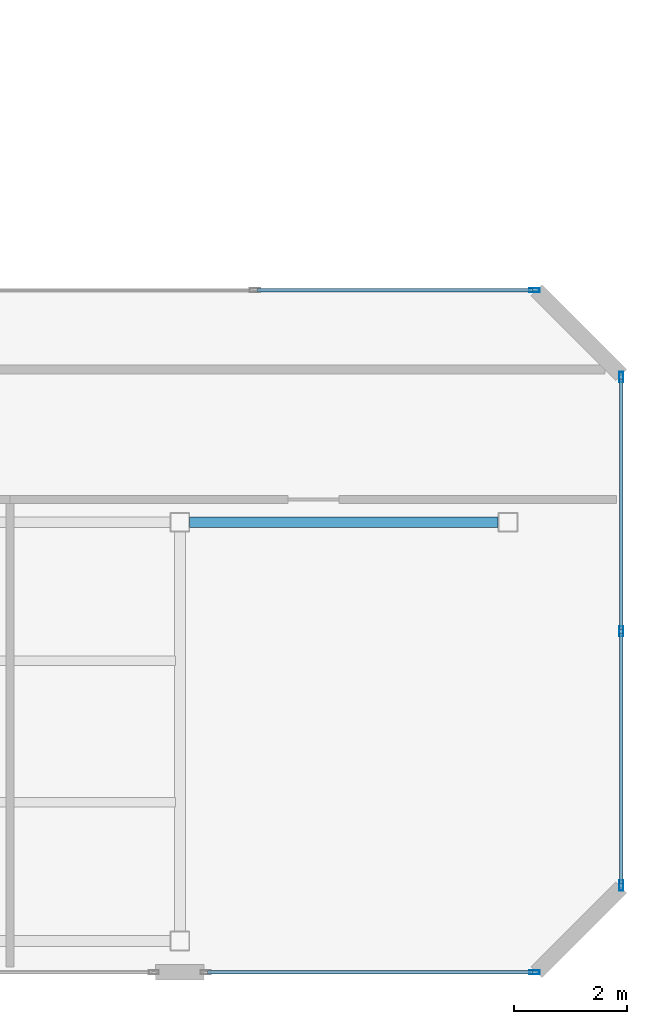
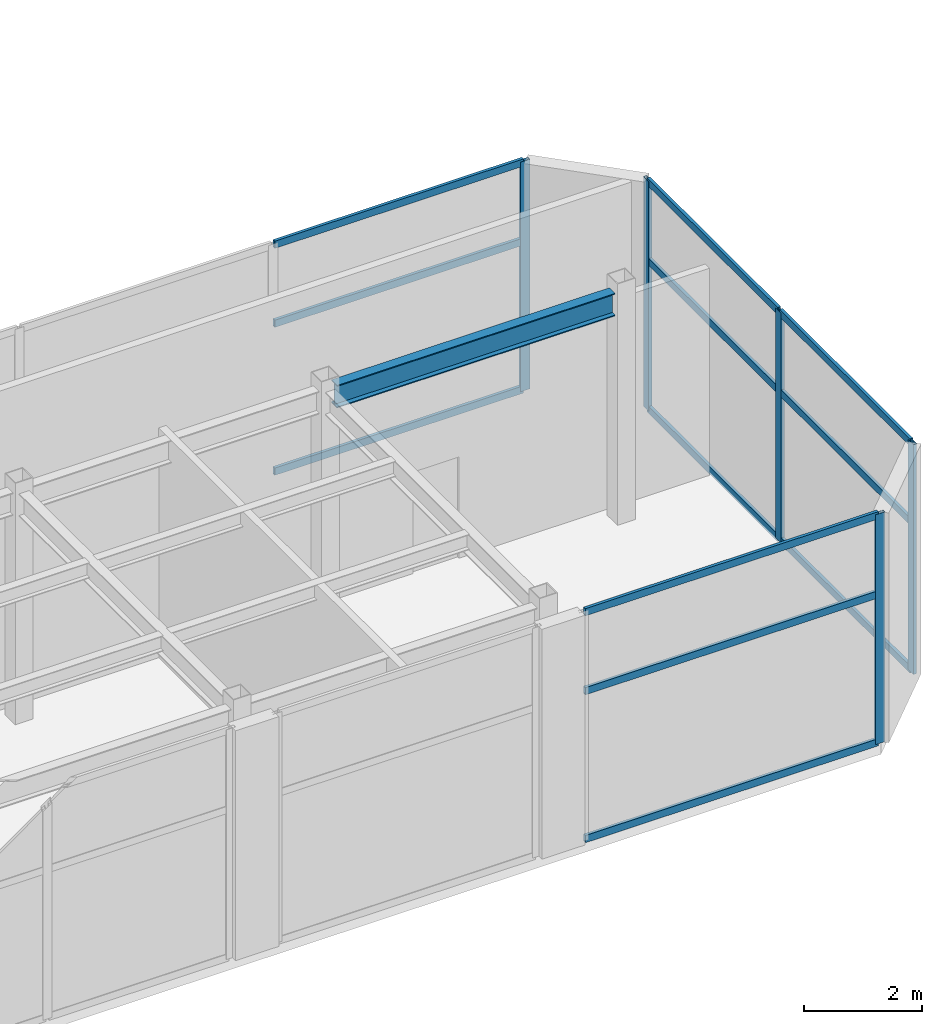
# One storey, part 9 of 12: 17 members, 1 beam, 3 elements without a shape of their own.
"""IFC4 building model written with IfcOpenShell, lengths in metres."""

from ifc_helpers import new_model, si_unit, direction, frame, origin, origin_2d, place, context, subcontext, project, spatial, hollow_rectangle, i_section, extrude, material, layer, layer_set, material_profile, profile_set, type_object, element, aggregate, save


model = new_model("IFC4")

# Units and contexts
model_context = context("Model", 3, precision=1e-05, world=origin(), true_north=direction((0.0, 1.0)))
body_context = subcontext(model_context, "Body", "Model", "MODEL_VIEW")
ifc_project = project(units=[si_unit("LENGTHUNIT", "METRE"), si_unit("AREAUNIT", "SQUARE_METRE"), si_unit("VOLUMEUNIT", "CUBIC_METRE"), si_unit("PLANEANGLEUNIT", "RADIAN"), si_unit("MASSUNIT", "GRAM", prefix="KILO")], contexts=[model_context])

# Site, building, storey
site_placement = place(None, origin())
site = spatial("IfcSite", under=ifc_project, at=site_placement, CompositionType="ELEMENT")
building_placement = place(site_placement, origin())
building = spatial("IfcBuilding", under=site, at=building_placement, Name="Mawjaban Terraces University", CompositionType="ELEMENT")
storey_placement = place(building_placement, frame((0.0, 0.0, 321.699951171875)))
storey = spatial("IfcBuildingStorey", under=building, at=storey_placement, Name="L78", CompositionType="ELEMENT", Elevation=321.699951171875)

# Beam
ifc_material_1 = material(Name="Steel ASTM A572 Grade 50", Category="steel")
ifc_material_profile_1 = material_profile(ifc_material_1, i_section(OverallWidth=0.194091796875, OverallDepth=0.468994140625, WebThickness=0.011474609375, FlangeThickness=0.0205078125, at=origin_2d()), Name="W460X106")
ifc_profile_set_1 = profile_set([ifc_material_profile_1], Name="Steel ASTM A572 Grade 50")
beam_type = type_object("IfcBeamType", Name="Beam_B_W460X106", PredefinedType="BEAM", material=ifc_profile_set_1)
beam_placement = place(storey_placement, frame((52.175048828125, 7.949951171875, 4.525146484375), z_axis=(1.0, 0.0, 0.0), x_axis=(0.0, 1.0, 0.0)))
element("IfcBeam", 1, at=beam_placement, inside=storey, type_object=beam_type, Name="L78 Beam BM-L78-EW-06", PredefinedType="BEAM", context=body_context, shape_type="SweptSolid", body=[
    extrude(i_section(OverallWidth=0.194091796875, OverallDepth=0.468994140625, WebThickness=0.011474609375, FlangeThickness=0.0205078125, at=origin_2d()), origin(), (0.0, 0.0, 1.0), 5.449951171875),
])

# Curtain wall, member
ifc_material_2 = material(Name="Anodised aluminium 6063-T6 and solar-control low-E glass", Category="aluminium")
ifc_layer = layer(ifc_material_2, 0.199951171875)
ifc_layer_set = layer_set([ifc_layer], Name="Anodised aluminium 6063-T6 and solar-control low-E glass")
curtain_wall_type = type_object("IfcCurtainWallType", Name="CWSystem_06_ObservationCrown", PredefinedType="NOTDEFINED", material=ifc_layer_set)
curtain_wall_1_placement = place(storey_placement, origin())
curtain_wall_1 = element("IfcCurtainWall", 2, at=curtain_wall_1_placement, inside=storey, type_object=curtain_wall_type, Name="L78 Curtain Wall CW-06 Run 1.5", PredefinedType="NOTDEFINED")
ifc_material_3 = material(Name="Anodised aluminium 6063-T6", Category="aluminium")
ifc_material_profile_2 = material_profile(ifc_material_3, hollow_rectangle(XDim=0.06494140625, YDim=0.179931640625, WallThickness=0.00390625, at=origin_2d()), Name="ALU180X65X4")
ifc_profile_set_2 = profile_set([ifc_material_profile_2], Name="Anodised aluminium 6063-T6")
member_type_1 = type_object("IfcMemberType", Name="Mullion_CW-06", PredefinedType="MULLION", material=ifc_profile_set_2)
member_1_placement = place(storey_placement, frame((58.267578125, 0.0, 0.0), z_axis=(0.0, 0.0, 1.0), x_axis=(0.0, 1.0, 0.0)))
member_1 = element("IfcMember", 3, at=member_1_placement, type_object=member_type_1, Name="CW-06 mullion 2", PredefinedType="MULLION", context=body_context, shape_type="SweptSolid", body=[
    extrude(hollow_rectangle(XDim=0.06494140625, YDim=0.179931640625, WallThickness=0.00390625, at=origin_2d()), origin(), (0.0, 0.0, 1.0), 4.760009765625),
])

# Curtain wall, members
curtain_wall_2_placement = place(storey_placement, origin())
curtain_wall_2 = element("IfcCurtainWall", 4, at=curtain_wall_2_placement, inside=storey, type_object=curtain_wall_type, Name="L78 Curtain Wall CW-06 Run 3.1", PredefinedType="NOTDEFINED")
member_2_placement = place(storey_placement, frame((59.800048828125, 1.532470703125, 0.0), z_axis=(0.0, 0.0, 1.0), x_axis=(-1.0, 0.0, 0.0)))
member_2 = element("IfcMember", 5, at=member_2_placement, type_object=member_type_1, Name="CW-06 mullion 1", PredefinedType="MULLION", context=body_context, shape_type="SweptSolid", body=[
    extrude(hollow_rectangle(XDim=0.06494140625, YDim=0.179931640625, WallThickness=0.00390625, at=origin_2d()), origin(), (0.0, 0.0, 1.0), 4.760009765625),
])
member_3_placement = place(storey_placement, frame((59.800048828125, 6.02490234375, 0.0), z_axis=(0.0, 0.0, 1.0), x_axis=(-1.0, 0.0, 0.0)))
member_3 = element("IfcMember", 6, at=member_3_placement, type_object=member_type_1, Name="CW-06 mullion 2", PredefinedType="MULLION", context=body_context, shape_type="SweptSolid", body=[
    extrude(hollow_rectangle(XDim=0.06494140625, YDim=0.179931640625, WallThickness=0.00390625, at=origin_2d()), origin(), (0.0, 0.0, 1.0), 4.760009765625),
])
member_4_placement = place(storey_placement, frame((59.800048828125, 10.517578125, 0.0), z_axis=(0.0, 0.0, 1.0), x_axis=(-1.0, 0.0, 0.0)))
member_4 = element("IfcMember", 7, at=member_4_placement, type_object=member_type_1, Name="CW-06 mullion 3", PredefinedType="MULLION", context=body_context, shape_type="SweptSolid", body=[
    extrude(hollow_rectangle(XDim=0.06494140625, YDim=0.179931640625, WallThickness=0.00390625, at=origin_2d()), origin(), (0.0, 0.0, 1.0), 4.760009765625),
])

# Curtain wall, member
curtain_wall_3_placement = place(storey_placement, origin())
curtain_wall_3 = element("IfcCurtainWall", 8, at=curtain_wall_3_placement, inside=storey, type_object=curtain_wall_type, Name="L78 Curtain Wall CW-06 Run 5.1", PredefinedType="NOTDEFINED")
member_5_placement = place(storey_placement, frame((58.267578125, 12.050048828125, 0.0), z_axis=(0.0, 0.0, 1.0), x_axis=(0.0, -1.0, 0.0)))
member_5 = element("IfcMember", 9, at=member_5_placement, type_object=member_type_1, Name="CW-06 mullion 1", PredefinedType="MULLION", context=body_context, shape_type="SweptSolid", body=[
    extrude(hollow_rectangle(XDim=0.06494140625, YDim=0.179931640625, WallThickness=0.00390625, at=origin_2d()), origin(), (0.0, 0.0, 1.0), 4.760009765625),
])

# Member
ifc_material_profile_3 = material_profile(ifc_material_3, hollow_rectangle(XDim=0.06005859375, YDim=0.14990234375, WallThickness=0.00390625, at=origin_2d()), Name="ALU150X60X4")
ifc_profile_set_3 = profile_set([ifc_material_profile_3], Name="Anodised aluminium 6063-T6")
member_type_2 = type_object("IfcMemberType", Name="Transom_CW-06", PredefinedType="NOTDEFINED", material=ifc_profile_set_3)
member_6_placement = place(storey_placement, frame((52.489990234375, 0.0, 0.030029296875), z_axis=(1.0, 0.0, 0.0), x_axis=(0.0, 1.0, 0.0)))
member_6 = element("IfcMember", 10, at=member_6_placement, type_object=member_type_2, Name="CW-06 transom 1.1", ObjectType="TRANSOM", PredefinedType="USERDEFINED", context=body_context, shape_type="SweptSolid", body=[
    extrude(hollow_rectangle(XDim=0.06005859375, YDim=0.14990234375, WallThickness=0.00390625, at=origin_2d()), origin(), (0.0, 0.0, 1.0), 5.7451171875),
])

member_7_placement = place(storey_placement, frame((52.489990234375, 0.0, 3.093994140625), z_axis=(1.0, 0.0, 0.0), x_axis=(0.0, 1.0, 0.0)))
member_7 = element("IfcMember", 11, at=member_7_placement, type_object=member_type_2, Name="CW-06 transom 1.2", ObjectType="TRANSOM", PredefinedType="USERDEFINED", context=body_context, shape_type="SweptSolid", body=[
    extrude(hollow_rectangle(XDim=0.06005859375, YDim=0.14990234375, WallThickness=0.00390625, at=origin_2d()), origin(), (0.0, 0.0, 1.0), 5.7451171875),
])

member_8_placement = place(storey_placement, frame((52.489990234375, 0.0, 4.72998046875), z_axis=(1.0, 0.0, 0.0), x_axis=(0.0, 1.0, 0.0)))
member_8 = element("IfcMember", 12, at=member_8_placement, type_object=member_type_2, Name="CW-06 transom 1.3", ObjectType="TRANSOM", PredefinedType="USERDEFINED", context=body_context, shape_type="SweptSolid", body=[
    extrude(hollow_rectangle(XDim=0.06005859375, YDim=0.14990234375, WallThickness=0.00390625, at=origin_2d()), origin(), (0.0, 0.0, 1.0), 5.7451171875),
])

aggregate(curtain_wall_1, [member_1, member_6, member_7, member_8])

member_9_placement = place(storey_placement, frame((59.800048828125, 1.56494140625, 0.030029296875), z_axis=(0.0, 1.0, 0.0), x_axis=(-1.0, 0.0, 0.0)))
member_9 = element("IfcMember", 13, at=member_9_placement, type_object=member_type_2, Name="CW-06 transom 1.1", ObjectType="TRANSOM", PredefinedType="USERDEFINED", context=body_context, shape_type="SweptSolid", body=[
    extrude(hollow_rectangle(XDim=0.06005859375, YDim=0.14990234375, WallThickness=0.00390625, at=origin_2d()), origin(), (0.0, 0.0, 1.0), 4.427490234375),
])

member_10_placement = place(storey_placement, frame((59.800048828125, 1.56494140625, 3.093994140625), z_axis=(0.0, 1.0, 0.0), x_axis=(-1.0, 0.0, 0.0)))
member_10 = element("IfcMember", 14, at=member_10_placement, type_object=member_type_2, Name="CW-06 transom 1.2", ObjectType="TRANSOM", PredefinedType="USERDEFINED", context=body_context, shape_type="SweptSolid", body=[
    extrude(hollow_rectangle(XDim=0.06005859375, YDim=0.14990234375, WallThickness=0.00390625, at=origin_2d()), origin(), (0.0, 0.0, 1.0), 4.427490234375),
])

member_11_placement = place(storey_placement, frame((59.800048828125, 1.56494140625, 4.72998046875), z_axis=(0.0, 1.0, 0.0), x_axis=(-1.0, 0.0, 0.0)))
member_11 = element("IfcMember", 15, at=member_11_placement, type_object=member_type_2, Name="CW-06 transom 1.3", ObjectType="TRANSOM", PredefinedType="USERDEFINED", context=body_context, shape_type="SweptSolid", body=[
    extrude(hollow_rectangle(XDim=0.06005859375, YDim=0.14990234375, WallThickness=0.00390625, at=origin_2d()), origin(), (0.0, 0.0, 1.0), 4.427490234375),
])

member_12_placement = place(storey_placement, frame((59.800048828125, 6.0576171875, 0.030029296875), z_axis=(0.0, 1.0, 0.0), x_axis=(-1.0, 0.0, 0.0)))
member_12 = element("IfcMember", 16, at=member_12_placement, type_object=member_type_2, Name="CW-06 transom 2.1", ObjectType="TRANSOM", PredefinedType="USERDEFINED", context=body_context, shape_type="SweptSolid", body=[
    extrude(hollow_rectangle(XDim=0.06005859375, YDim=0.14990234375, WallThickness=0.00390625, at=origin_2d()), origin(), (0.0, 0.0, 1.0), 4.427490234375),
])

member_13_placement = place(storey_placement, frame((59.800048828125, 6.0576171875, 3.093994140625), z_axis=(0.0, 1.0, 0.0), x_axis=(-1.0, 0.0, 0.0)))
member_13 = element("IfcMember", 17, at=member_13_placement, type_object=member_type_2, Name="CW-06 transom 2.2", ObjectType="TRANSOM", PredefinedType="USERDEFINED", context=body_context, shape_type="SweptSolid", body=[
    extrude(hollow_rectangle(XDim=0.06005859375, YDim=0.14990234375, WallThickness=0.00390625, at=origin_2d()), origin(), (0.0, 0.0, 1.0), 4.427490234375),
])

member_14_placement = place(storey_placement, frame((59.800048828125, 6.0576171875, 4.72998046875), z_axis=(0.0, 1.0, 0.0), x_axis=(-1.0, 0.0, 0.0)))
member_14 = element("IfcMember", 18, at=member_14_placement, type_object=member_type_2, Name="CW-06 transom 2.3", ObjectType="TRANSOM", PredefinedType="USERDEFINED", context=body_context, shape_type="SweptSolid", body=[
    extrude(hollow_rectangle(XDim=0.06005859375, YDim=0.14990234375, WallThickness=0.00390625, at=origin_2d()), origin(), (0.0, 0.0, 1.0), 4.427490234375),
])

aggregate(curtain_wall_2, [member_2, member_3, member_4, member_9, member_10, member_11, member_12, member_13, member_14])

member_15_placement = place(storey_placement, frame((58.235107421875, 12.050048828125, 0.030029296875), z_axis=(-1.0, 0.0, 0.0), x_axis=(0.0, -1.0, 0.0)))
member_15 = element("IfcMember", 19, at=member_15_placement, type_object=member_type_2, Name="CW-06 transom 1.1", ObjectType="TRANSOM", PredefinedType="USERDEFINED", context=body_context, shape_type="SweptSolid", body=[
    extrude(hollow_rectangle(XDim=0.06005859375, YDim=0.14990234375, WallThickness=0.00390625, at=origin_2d()), origin(), (0.0, 0.0, 1.0), 4.8740234375),
])

member_16_placement = place(storey_placement, frame((58.235107421875, 12.050048828125, 3.093994140625), z_axis=(-1.0, 0.0, 0.0), x_axis=(0.0, -1.0, 0.0)))
member_16 = element("IfcMember", 20, at=member_16_placement, type_object=member_type_2, Name="CW-06 transom 1.2", ObjectType="TRANSOM", PredefinedType="USERDEFINED", context=body_context, shape_type="SweptSolid", body=[
    extrude(hollow_rectangle(XDim=0.06005859375, YDim=0.14990234375, WallThickness=0.00390625, at=origin_2d()), origin(), (0.0, 0.0, 1.0), 4.8740234375),
])

member_17_placement = place(storey_placement, frame((58.235107421875, 12.050048828125, 4.72998046875), z_axis=(-1.0, 0.0, 0.0), x_axis=(0.0, -1.0, 0.0)))
member_17 = element("IfcMember", 21, at=member_17_placement, type_object=member_type_2, Name="CW-06 transom 1.3", ObjectType="TRANSOM", PredefinedType="USERDEFINED", context=body_context, shape_type="SweptSolid", body=[
    extrude(hollow_rectangle(XDim=0.06005859375, YDim=0.14990234375, WallThickness=0.00390625, at=origin_2d()), origin(), (0.0, 0.0, 1.0), 4.8740234375),
])

aggregate(curtain_wall_3, [member_5, member_15, member_16, member_17])

save(model, "model.ifc")
